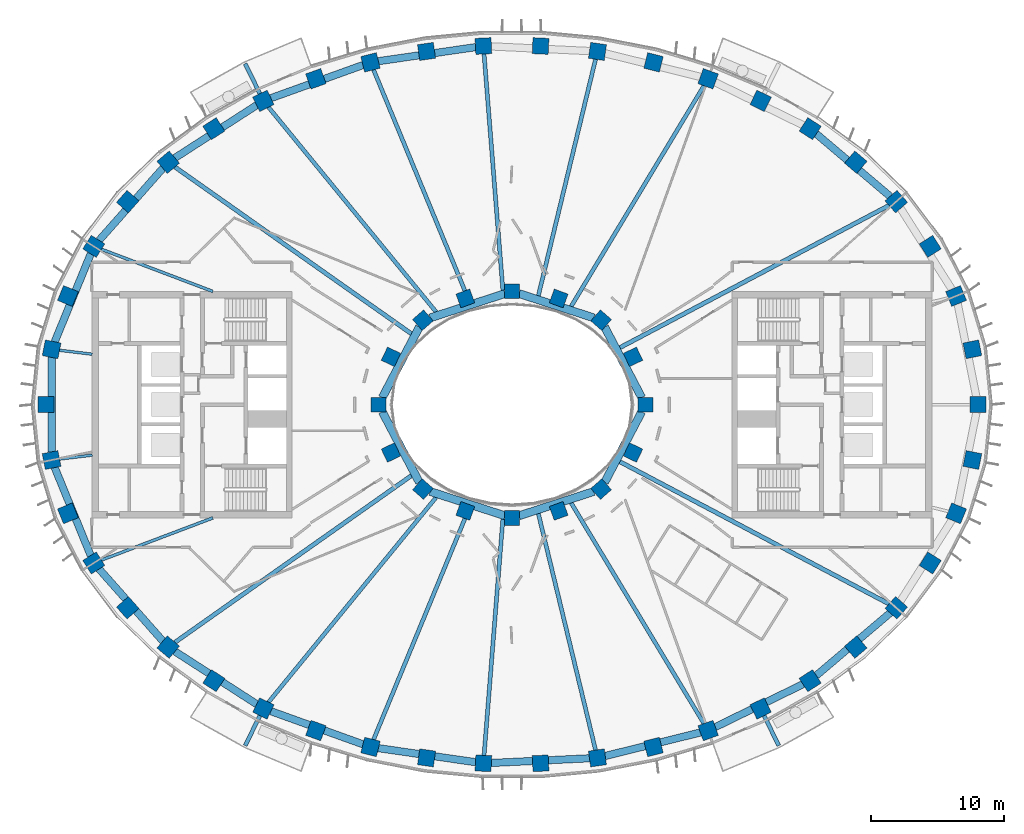
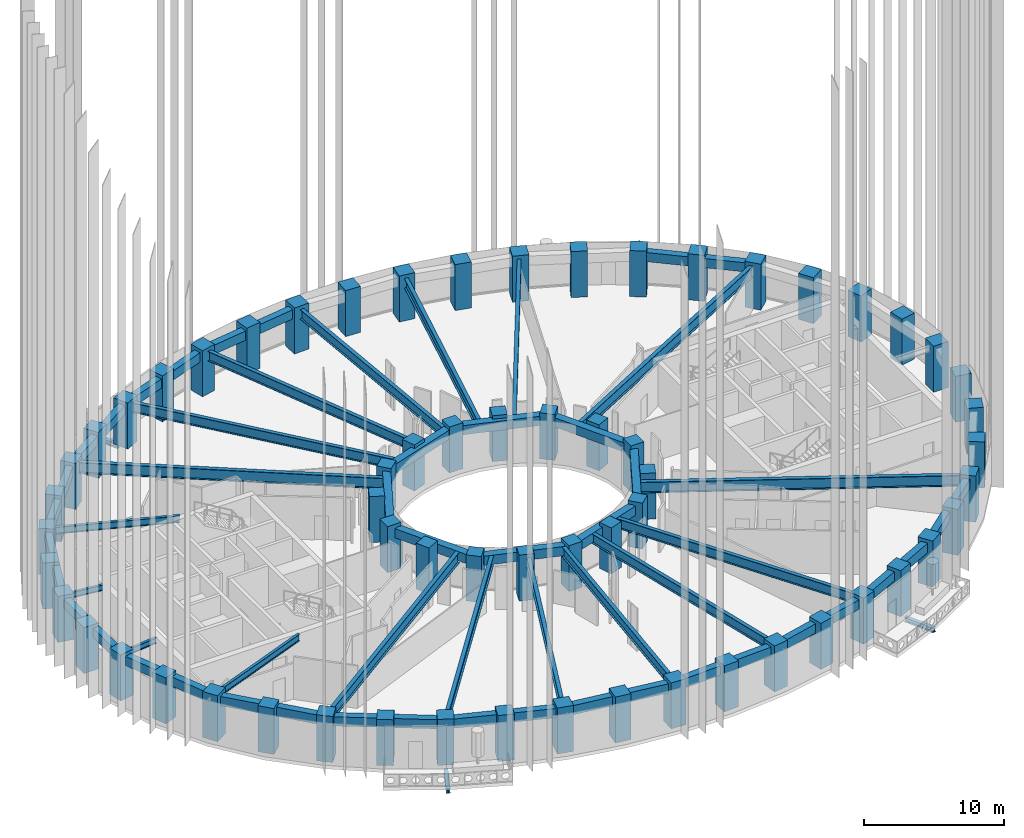
# One storey, part 1 of 19: 62 columns, 45 beams.
"""IFC4 building model written with IfcOpenShell, lengths in metres."""

from ifc_helpers import new_model, si_unit, direction, frame, origin, origin_2d, place, context, subcontext, project, spatial, rectangle, i_section, extrude, material, material_profile, profile_set, type_object, element, save


model = new_model("IFC4")

# Units and contexts
model_context = context("Model", 3, precision=1e-05, world=origin(), true_north=direction((0.0, 1.0)))
body_context = subcontext(model_context, "Body", "Model", "MODEL_VIEW")
ifc_project = project(units=[si_unit("LENGTHUNIT", "METRE"), si_unit("AREAUNIT", "SQUARE_METRE"), si_unit("VOLUMEUNIT", "CUBIC_METRE"), si_unit("PLANEANGLEUNIT", "RADIAN"), si_unit("MASSUNIT", "GRAM", prefix="KILO")], contexts=[model_context])

# Site, building, storey
site_placement = place(None, origin())
site = spatial("IfcSite", under=ifc_project, at=site_placement, CompositionType="ELEMENT")
building_placement = place(site_placement, origin())
building = spatial("IfcBuilding", under=site, at=building_placement, Name="Noorbagh Ring Tower", CompositionType="ELEMENT")
storey_placement = place(building_placement, frame((0.0, 0.0, 146.0)))
storey = spatial("IfcBuildingStorey", under=building, at=storey_placement, Name="L33", CompositionType="ELEMENT", Elevation=146.0)

# Columns
ifc_material_1 = material(Name="Concrete C60/75", Category="concrete")
ifc_material_profile_1 = material_profile(ifc_material_1, rectangle(XDim=1.199951171875, YDim=1.199951171875, at=origin_2d()), Name="RC1200x1200")
ifc_profile_set_1 = profile_set([ifc_material_profile_1], Name="Concrete C60/75")
column_type_1 = type_object("IfcColumnType", Name="STR-COL-RC1200x1200-C60-75", PredefinedType="COLUMN", material=ifc_profile_set_1)
for number, where, z_axis, x_axis, name in (
    (1, (34.944580078125, 0.0, 0.0), (0.0, 0.0, 1.0), (0.0, 1.0, 0.0), "L33/col/R1-01"),
    (2, (34.52685546875, 4.150634765625, 0.0), (0.0, 0.0, 1.0), (-0.19723040178, 0.9803571638, 0.0), "L33/col/R1-02"),
    (3, (33.30517578125, 8.1494140625, 0.0), (0.0, 0.0, 1.0), (-0.378989499959, 0.925400971969, 0.0), "L33/col/R1-03"),
    (4, (31.364990234375, 11.87109375, 0.0), (0.0, 0.0, 1.0), (-0.535190403059, 0.844731455833, 0.0), "L33/col/R1-04"),
    (5, (28.81884765625, 15.23046875, 0.0), (0.0, 0.0, 1.0), (-0.662635642662, 0.748941923699, 0.0), "L33/col/R1-05"),
    (6, (25.78271484375, 18.180419921875, 0.0), (0.0, 0.0, 1.0), (-0.763035199656, 0.646356932419, 0.0), "L33/col/R1-06"),
    (7, (22.362060546875, 20.699951171875, 0.0), (0.0, 0.0, 1.0), (-0.840247639643, 0.542202825586, 0.0), "L33/col/R1-07"),
    (8, (18.646240234375, 22.785400390625, 0.0), (0.0, 0.0, 1.0), (-0.898399080868, 0.439180021741, 0.0), "L33/col/R1-08"),
    (9, (14.70947265625, 24.44091796875, 0.0), (0.0, 0.0, 1.0), (-0.941024726094, 0.338337797003, 0.0), "L33/col/R1-09"),
    (10, (10.61328125, 25.673583984375, 0.0), (0.0, 0.0, 1.0), (-0.970829360981, 0.239771457553, 0.0), "L33/col/R1-10"),
    (11, (6.4091796875, 26.49072265625, 0.0), (0.0, 0.0, 1.0), (-0.989713114048, 0.143066249975, 0.0), "L33/col/R1-11"),
    (12, (2.14306640625, 26.89794921875, 0.0), (0.0, 0.0, 1.0), (-0.998868731212, 0.047552684538, 0.0), "L33/col/R1-12"),
    (13, (-2.14306640625, 26.89794921875, 0.0), (0.0, 0.0, 1.0), (-0.998868731212, -0.047552684538, 0.0), "L33/col/R1-13"),
    (14, (-6.4091796875, 26.49072265625, 0.0), (0.0, 0.0, 1.0), (-0.989713114048, -0.143066249975, 0.0), "L33/col/R1-14"),
    (15, (-10.61328125, 25.673583984375, 0.0), (0.0, 0.0, 1.0), (-0.970829360981, -0.239771457553, 0.0), "L33/col/R1-15"),
    (16, (-14.70947265625, 24.44091796875, 0.0), (0.0, 0.0, 1.0), (-0.941024726094, -0.338337797003, 0.0), "L33/col/R1-16"),
    (17, (-18.646240234375, 22.785400390625, 0.0), (0.0, 0.0, 1.0), (-0.898399080868, -0.439180021741, 0.0), "L33/col/R1-17"),
    (18, (-22.362060546875, 20.699951171875, 0.0), (0.0, 0.0, 1.0), (-0.840247639643, -0.542202825586, 0.0), "L33/col/R1-18"),
    (19, (-25.78271484375, 18.180419921875, 0.0), (0.0, 0.0, 1.0), (-0.763035199656, -0.646356932419, 0.0), "L33/col/R1-19"),
    (20, (-28.81884765625, 15.23046875, 0.0), (0.0, 0.0, 1.0), (-0.662635642662, -0.748941923699, 0.0), "L33/col/R1-20"),
    (21, (-31.364990234375, 11.87109375, 0.0), (0.0, 0.0, 1.0), (-0.535190403059, -0.844731455833, 0.0), "L33/col/R1-21"),
    (22, (-33.30517578125, 8.1494140625, 0.0), (0.0, 0.0, 1.0), (-0.378989499959, -0.925400971969, 0.0), "L33/col/R1-22"),
    (23, (-34.52685546875, 4.150634765625, 0.0), (0.0, 0.0, 1.0), (-0.19723040178, -0.9803571638, 0.0), "L33/col/R1-23"),
    (24, (-34.944580078125, 0.0, 0.0), (0.0, 0.0, 1.0), (0.0, -1.0, 0.0), "L33/col/R1-24"),
    (25, (-34.52685546875, -4.150634765625, 0.0), (0.0, 0.0, 1.0), (0.19723040178, -0.9803571638, 0.0), "L33/col/R1-25"),
    (26, (-33.30517578125, -8.1494140625, 0.0), (0.0, 0.0, 1.0), (0.378989499959, -0.925400971969, 0.0), "L33/col/R1-26"),
    (27, (-31.364990234375, -11.87109375, 0.0), (0.0, 0.0, 1.0), (0.535190403059, -0.844731455833, 0.0), "L33/col/R1-27"),
    (28, (-28.81884765625, -15.23046875, 0.0), (0.0, 0.0, 1.0), (0.662635642662, -0.748941923699, 0.0), "L33/col/R1-28"),
    (29, (-25.78271484375, -18.180419921875, 0.0), (0.0, 0.0, 1.0), (0.763035199656, -0.646356932419, 0.0), "L33/col/R1-29"),
    (30, (-22.362060546875, -20.699951171875, 0.0), (0.0, 0.0, 1.0), (0.840247639643, -0.542202825586, 0.0), "L33/col/R1-30"),
    (31, (-18.646240234375, -22.785400390625, 0.0), (0.0, 0.0, 1.0), (0.898399080868, -0.439180021741, 0.0), "L33/col/R1-31"),
    (32, (-14.70947265625, -24.44091796875, 0.0), (0.0, 0.0, 1.0), (0.941024726094, -0.338337797003, 0.0), "L33/col/R1-32"),
    (33, (-10.61328125, -25.673583984375, 0.0), (0.0, 0.0, 1.0), (0.970829360981, -0.239771457553, 0.0), "L33/col/R1-33"),
    (34, (-6.4091796875, -26.49072265625, 0.0), (0.0, 0.0, 1.0), (0.989713114048, -0.143066249975, 0.0), "L33/col/R1-34"),
    (35, (-2.14306640625, -26.89794921875, 0.0), (0.0, 0.0, 1.0), (0.998868731212, -0.047552684538, 0.0), "L33/col/R1-35"),
    (36, (2.14306640625, -26.89794921875, 0.0), (0.0, 0.0, 1.0), (0.998868731212, 0.047552684538, 0.0), "L33/col/R1-36"),
    (37, (6.4091796875, -26.49072265625, 0.0), (0.0, 0.0, 1.0), (0.989713114048, 0.143066249975, 0.0), "L33/col/R1-37"),
    (38, (10.61328125, -25.673583984375, 0.0), (0.0, 0.0, 1.0), (0.970829360981, 0.239771457553, 0.0), "L33/col/R1-38"),
    (39, (14.70947265625, -24.44091796875, 0.0), (0.0, 0.0, 1.0), (0.941024726094, 0.338337797003, 0.0), "L33/col/R1-39"),
    (40, (18.646240234375, -22.785400390625, 0.0), (0.0, 0.0, 1.0), (0.898399080868, 0.439180021741, 0.0), "L33/col/R1-40"),
    (41, (22.362060546875, -20.699951171875, 0.0), (0.0, 0.0, 1.0), (0.840247639643, 0.542202825586, 0.0), "L33/col/R1-41"),
    (42, (25.78271484375, -18.180419921875, 0.0), (0.0, 0.0, 1.0), (0.763035199656, 0.646356932419, 0.0), "L33/col/R1-42"),
    (43, (28.81884765625, -15.23046875, 0.0), (0.0, 0.0, 1.0), (0.662635642662, 0.748941923699, 0.0), "L33/col/R1-43"),
    (44, (31.364990234375, -11.87109375, 0.0), (0.0, 0.0, 1.0), (0.535190403059, 0.844731455833, 0.0), "L33/col/R1-44"),
    (45, (33.30517578125, -8.1494140625, 0.0), (0.0, 0.0, 1.0), (0.378989499959, 0.925400971969, 0.0), "L33/col/R1-45"),
    (46, (34.52685546875, -4.150634765625, 0.0), (0.0, 0.0, 1.0), (0.19723040178, 0.9803571638, 0.0), "L33/col/R1-46"),
):
    element("IfcColumn", number, at=place(storey_placement, frame(where, z_axis=z_axis, x_axis=x_axis)), inside=storey, type_object=column_type_1, Name=name, PredefinedType="COLUMN", context=body_context, shape_type="SweptSolid", body=[
        extrude(rectangle(XDim=1.199951171875, YDim=1.199951171875, at=origin_2d()), origin(), (0.0, 0.0, 1.0), 4.0),
    ])
ifc_material_2 = material(Name="Concrete C60/75", Category="concrete")
ifc_material_profile_2 = material_profile(ifc_material_2, rectangle(XDim=1.10009765625, YDim=1.10009765625, at=origin_2d()), Name="RC1100x1100")
ifc_profile_set_2 = profile_set([ifc_material_profile_2], Name="Concrete C60/75")
column_type_2 = type_object("IfcColumnType", Name="STR-ICOL-RC1100x1100-C60-75", PredefinedType="COLUMN", material=ifc_profile_set_2)
for number, where, z_axis, x_axis, name in (
    (47, (10.00830078125, 0.0, 0.0), (0.0, 0.0, 1.0), (0.0, 1.0, 0.0), "L33/col/IR2-W01"),
    (48, (9.07568359375, 3.58837890625, 0.0), (0.0, 0.0, 1.0), (-0.428666979171, 0.903462573087, 0.0), "L33/col/IR2-W03"),
    (49, (6.68212890625, 6.333740234375, 0.0), (0.0, 0.0, 1.0), (-0.75102249095, 0.660276622399, 0.0), "L33/col/IR2-W05"),
    (50, (3.5009765625, 7.967041015625, 0.0), (0.0, 0.0, 1.0), (-0.939019578916, 0.343863679984, 0.0), "L33/col/IR2-W07"),
    (51, (0.0, 8.5029296875, 0.0), (0.0, 0.0, 1.0), (-1.0, 0.0, 0.0), "L33/col/IR2-W09"),
    (52, (-3.5009765625, 7.967041015625, 0.0), (0.0, 0.0, 1.0), (-0.939019578916, -0.343863679984, 0.0), "L33/col/IR2-W11"),
    (53, (-6.68212890625, 6.333740234375, 0.0), (0.0, 0.0, 1.0), (-0.75102249095, -0.660276622399, 0.0), "L33/col/IR2-W13"),
    (54, (-9.07568359375, 3.58837890625, 0.0), (0.0, 0.0, 1.0), (-0.428666979171, -0.903462573087, 0.0), "L33/col/IR2-W15"),
    (55, (-10.00830078125, 0.0, 0.0), (0.0, 0.0, 1.0), (0.0, -1.0, 0.0), "L33/col/IR2-W17"),
    (56, (-9.07568359375, -3.58837890625, 0.0), (0.0, 0.0, 1.0), (0.428666979171, -0.903462573087, 0.0), "L33/col/IR2-W19"),
    (57, (-6.68212890625, -6.333740234375, 0.0), (0.0, 0.0, 1.0), (0.75102249095, -0.660276622399, 0.0), "L33/col/IR2-W21"),
    (58, (-3.5009765625, -7.967041015625, 0.0), (0.0, 0.0, 1.0), (0.939019578916, -0.343863679984, 0.0), "L33/col/IR2-W23"),
    (59, (0.0, -8.5029296875, 0.0), (0.0, 0.0, 1.0), (1.0, 0.0, 0.0), "L33/col/IR2-W25"),
    (60, (3.5009765625, -7.967041015625, 0.0), (0.0, 0.0, 1.0), (0.939019578916, 0.343863679984, 0.0), "L33/col/IR2-W27"),
    (61, (6.68212890625, -6.333740234375, 0.0), (0.0, 0.0, 1.0), (0.75102249095, 0.660276622399, 0.0), "L33/col/IR2-W29"),
    (62, (9.07568359375, -3.58837890625, 0.0), (0.0, 0.0, 1.0), (0.428666979171, 0.903462573087, 0.0), "L33/col/IR2-W31"),
):
    element("IfcColumn", number, at=place(storey_placement, frame(where, z_axis=z_axis, x_axis=x_axis)), inside=storey, type_object=column_type_2, Name=name, PredefinedType="COLUMN", context=body_context, shape_type="SweptSolid", body=[
        extrude(rectangle(XDim=1.10009765625, YDim=1.10009765625, at=origin_2d()), origin(), (0.0, 0.0, 1.0), 4.0),
    ])

# Beams
ifc_material_3 = material(Name="Steel S355", Category="steel")
ifc_material_profile_3 = material_profile(ifc_material_3, i_section(OverallWidth=0.300048828125, OverallDepth=0.39990234375, WebThickness=0.013427734375, FlangeThickness=0.02392578125, FilletRadius=0.027099609375, at=origin_2d()), Name="HEB400")
ifc_profile_set_3 = profile_set([ifc_material_profile_3], Name="Steel S355")
beam_type_1 = type_object("IfcBeamType", Name="STR-BALCONY-BRACKET-HEB400", PredefinedType="BEAM", material=ifc_profile_set_3)
for number, where, z_axis, x_axis, name in (
    (63, (-18.901123046875, 23.306396484375, -0.5), (-0.439229206399, 0.898375035409, 0.0), (-0.898375035409, -0.439229206399, 0.0), "Balcony bracket beam BN05"),
    (64, (-18.901123046875, -23.306396484375, -0.5), (-0.439229206399, -0.898375035409, 0.0), (0.898375035409, -0.439229206399, 0.0), "Balcony bracket beam BS02"),
    (65, (18.901123046875, -23.306396484375, -0.5), (0.439229206399, -0.898375035409, 0.0), (0.898375035409, 0.439229206399, 0.0), "Balcony bracket beam BS05"),
):
    element("IfcBeam", number, at=place(storey_placement, frame(where, z_axis=z_axis, x_axis=x_axis)), inside=storey, type_object=beam_type_1, Name=name, PredefinedType="BEAM", context=body_context, shape_type="SweptSolid", body=[
        extrude(i_section(OverallWidth=0.300048828125, OverallDepth=0.39990234375, WebThickness=0.013427734375, FlangeThickness=0.02392578125, FilletRadius=0.027099609375, at=origin_2d()), origin(), (0.0, 0.0, 1.0), 2.525146484375),
    ])
ifc_material_4 = material(Name="Steel S355", Category="steel")
ifc_material_profile_4 = material_profile(ifc_material_4, i_section(OverallWidth=0.199951171875, OverallDepth=0.5, WebThickness=0.01025390625, FlangeThickness=0.01611328125, FilletRadius=0.02099609375, at=origin_2d()), Name="IPE500")
ifc_profile_set_4 = profile_set([ifc_material_profile_4], Name="Steel S355")
beam_type_2 = type_object("IfcBeamType", Name="STR-RAD-IPE500", PredefinedType="BEAM", material=ifc_profile_set_4)
for number, where, z_axis, x_axis, name in (
    (66, (-33.948974609375, 4.081298828125, 3.449951171875), (0.992847073299, -0.119393002485, 0.0), (0.119393002485, 0.992847073299, 0.0), "L33/bm/RD23"),
    (67, (-33.948974609375, -4.081298828125, 3.449951171875), (0.992847073299, 0.119393002485, 0.0), (-0.119393002485, 0.992847073299, 0.0), "L33/bm/RD25"),
):
    element("IfcBeam", number, at=place(storey_placement, frame(where, z_axis=z_axis, x_axis=x_axis)), inside=storey, type_object=beam_type_2, Name=name, PredefinedType="BEAM", context=body_context, shape_type="SweptSolid", body=[
        extrude(i_section(OverallWidth=0.199951171875, OverallDepth=0.5, WebThickness=0.01025390625, FlangeThickness=0.01611328125, FilletRadius=0.02099609375, at=origin_2d()), origin(), (0.0, 0.0, 1.0), 2.486572265625),
    ])
ifc_material_5 = material(Name="Steel S355", Category="steel")
ifc_material_profile_5 = material_profile(ifc_material_5, i_section(OverallWidth=0.219970703125, OverallDepth=0.60009765625, WebThickness=0.011962890625, FlangeThickness=0.01904296875, FilletRadius=0.02392578125, at=origin_2d()), Name="IPE600")
ifc_profile_set_5 = profile_set([ifc_material_profile_5], Name="Steel S355")
beam_type_3 = type_object("IfcBeamType", Name="STR-RAD-IPE600", PredefinedType="BEAM", material=ifc_profile_set_5)
for number, where, z_axis, x_axis, name in (
    (68, (-30.810791015625, 11.6611328125, 3.39990234375), (0.935257705558, -0.35396754681, 0.0), (0.35396754681, 0.935257705558, 0.0), "L33/bm/RD21"),
    (69, (-30.810791015625, -11.6611328125, 3.39990234375), (0.935257705558, 0.35396754681, 0.0), (-0.35396754681, 0.935257705558, 0.0), "L33/bm/RD27"),
):
    element("IfcBeam", number, at=place(storey_placement, frame(where, z_axis=z_axis, x_axis=x_axis)), inside=storey, type_object=beam_type_3, Name=name, PredefinedType="BEAM", context=body_context, shape_type="SweptSolid", body=[
        extrude(i_section(OverallWidth=0.219970703125, OverallDepth=0.60009765625, WebThickness=0.011962890625, FlangeThickness=0.01904296875, FilletRadius=0.02392578125, at=origin_2d()), origin(), (0.0, 0.0, 1.0), 8.95068359375),
    ])
ifc_material_6 = material(Name="Steel S355", Category="steel")
ifc_material_profile_6 = material_profile(ifc_material_6, i_section(OverallWidth=0.300048828125, OverallDepth=0.85009765625, WebThickness=0.013916015625, FlangeThickness=0.028076171875, at=origin_2d()), Name="PG850x300x14x28")
ifc_profile_set_6 = profile_set([ifc_material_profile_6], Name="Steel S355")
beam_type_4 = type_object("IfcBeamType", Name="STR-RAD-PG850x300x14x28", PredefinedType="BEAM", material=ifc_profile_set_6)
beam_1_placement = place(storey_placement, frame((14.404296875, 23.933837890625, 3.27490234375), z_axis=(-0.515653442321, -0.856797249892, 0.0), x_axis=(0.856797249892, -0.515653442321, 0.0)))
element("IfcBeam", 70, at=beam_1_placement, inside=storey, type_object=beam_type_4, Name="L33/bm/RD09", PredefinedType="BEAM", context=body_context, shape_type="SweptSolid", body=[
    extrude(i_section(OverallWidth=0.300048828125, OverallDepth=0.85009765625, WebThickness=0.013916015625, FlangeThickness=0.028076171875, at=origin_2d()), origin(), (0.0, 0.0, 1.0), 19.343994140625),
])
beam_2_placement = place(storey_placement, frame((6.272216796875, 25.924560546875, 3.27490234375), z_axis=(-0.235159659646, -0.971956755455, 0.0), x_axis=(0.971956755455, -0.235159659646, 0.0)))
element("IfcBeam", 71, at=beam_2_placement, inside=storey, type_object=beam_type_4, Name="L33/bm/RD11", PredefinedType="BEAM", context=body_context, shape_type="SweptSolid", body=[
    extrude(i_section(OverallWidth=0.300048828125, OverallDepth=0.85009765625, WebThickness=0.013916015625, FlangeThickness=0.028076171875, at=origin_2d()), origin(), (0.0, 0.0, 1.0), 18.280517578125),
])
beam_3_placement = place(storey_placement, frame((-2.09716796875, 26.319580078125, 3.27490234375), z_axis=(0.079428488964, -0.996840566561, 0.0), x_axis=(0.996840566561, 0.079428488964, 0.0)))
element("IfcBeam", 72, at=beam_3_placement, inside=storey, type_object=beam_type_4, Name="L33/bm/RD13", PredefinedType="BEAM", context=body_context, shape_type="SweptSolid", body=[
    extrude(i_section(OverallWidth=0.300048828125, OverallDepth=0.85009765625, WebThickness=0.013916015625, FlangeThickness=0.028076171875, at=origin_2d()), origin(), (0.0, 0.0, 1.0), 17.7998046875),
])
beam_4_placement = place(storey_placement, frame((-10.388916015625, 25.13134765625, 3.27490234375), z_axis=(0.382025650428, -0.924151720452, 0.0), x_axis=(0.924151720452, 0.382025650428, 0.0)))
element("IfcBeam", 73, at=beam_4_placement, inside=storey, type_object=beam_type_4, Name="L33/bm/RD15", PredefinedType="BEAM", context=body_context, shape_type="SweptSolid", body=[
    extrude(i_section(OverallWidth=0.300048828125, OverallDepth=0.85009765625, WebThickness=0.013916015625, FlangeThickness=0.028076171875, at=origin_2d()), origin(), (0.0, 0.0, 1.0), 18.80078125),
])
for number, where, z_axis, x_axis, name in (
    (74, (-18.2685546875, 22.32373046875, 3.27490234375), (0.633310075039, -0.773898151474, 0.0), (0.773898151474, 0.633310075039, 0.0), "L33/bm/RD17"),
    (75, (-18.2685546875, -22.32373046875, 3.27490234375), (0.633310075039, 0.773898151474, 0.0), (-0.773898151474, 0.633310075039, 0.0), "L33/bm/RD31"),
):
    element("IfcBeam", number, at=place(storey_placement, frame(where, z_axis=z_axis, x_axis=x_axis)), inside=storey, type_object=beam_type_4, Name=name, PredefinedType="BEAM", context=body_context, shape_type="SweptSolid", body=[
        extrude(i_section(OverallWidth=0.300048828125, OverallDepth=0.85009765625, WebThickness=0.013916015625, FlangeThickness=0.028076171875, at=origin_2d()), origin(), (0.0, 0.0, 1.0), 19.86279296875),
    ])
beam_5_placement = place(storey_placement, frame((-10.388916015625, -25.13134765625, 3.27490234375), z_axis=(0.382025650428, 0.924151720452, 0.0), x_axis=(-0.924151720452, 0.382025650428, 0.0)))
element("IfcBeam", 76, at=beam_5_placement, inside=storey, type_object=beam_type_4, Name="L33/bm/RD33", PredefinedType="BEAM", context=body_context, shape_type="SweptSolid", body=[
    extrude(i_section(OverallWidth=0.300048828125, OverallDepth=0.85009765625, WebThickness=0.013916015625, FlangeThickness=0.028076171875, at=origin_2d()), origin(), (0.0, 0.0, 1.0), 18.80078125),
])
beam_6_placement = place(storey_placement, frame((-2.09716796875, -26.319580078125, 3.27490234375), z_axis=(0.079428488964, 0.996840566561, 0.0), x_axis=(-0.996840566561, 0.079428488964, 0.0)))
element("IfcBeam", 77, at=beam_6_placement, inside=storey, type_object=beam_type_4, Name="L33/bm/RD35", PredefinedType="BEAM", context=body_context, shape_type="SweptSolid", body=[
    extrude(i_section(OverallWidth=0.300048828125, OverallDepth=0.85009765625, WebThickness=0.013916015625, FlangeThickness=0.028076171875, at=origin_2d()), origin(), (0.0, 0.0, 1.0), 17.7998046875),
])
beam_7_placement = place(storey_placement, frame((6.272216796875, -25.924560546875, 3.27490234375), z_axis=(-0.235159659646, 0.971956755455, 0.0), x_axis=(-0.971956755455, -0.235159659646, 0.0)))
element("IfcBeam", 78, at=beam_7_placement, inside=storey, type_object=beam_type_4, Name="L33/bm/RD37", PredefinedType="BEAM", context=body_context, shape_type="SweptSolid", body=[
    extrude(i_section(OverallWidth=0.300048828125, OverallDepth=0.85009765625, WebThickness=0.013916015625, FlangeThickness=0.028076171875, at=origin_2d()), origin(), (0.0, 0.0, 1.0), 18.280517578125),
])
beam_8_placement = place(storey_placement, frame((14.404296875, -23.933837890625, 3.27490234375), z_axis=(-0.515653442321, 0.856797249892, 0.0), x_axis=(-0.856797249892, -0.515653442321, 0.0)))
element("IfcBeam", 79, at=beam_8_placement, inside=storey, type_object=beam_type_4, Name="L33/bm/RD39", PredefinedType="BEAM", context=body_context, shape_type="SweptSolid", body=[
    extrude(i_section(OverallWidth=0.300048828125, OverallDepth=0.85009765625, WebThickness=0.013916015625, FlangeThickness=0.028076171875, at=origin_2d()), origin(), (0.0, 0.0, 1.0), 19.343994140625),
])
ifc_material_7 = material(Name="Steel S355", Category="steel")
ifc_material_profile_7 = material_profile(ifc_material_7, i_section(OverallWidth=0.320068359375, OverallDepth=0.949951171875, WebThickness=0.01611328125, FlangeThickness=0.030029296875, at=origin_2d()), Name="PG950x320x16x30")
ifc_profile_set_7 = profile_set([ifc_material_profile_7], Name="Steel S355")
beam_type_5 = type_object("IfcBeamType", Name="STR-RAD-PG950x320x16x30", PredefinedType="BEAM", material=ifc_profile_set_7)
beam_9_placement = place(storey_placement, frame((28.29052734375, 14.951416015625, 3.22509765625), z_axis=(-0.88411920944, -0.467261408099, 0.0), x_axis=(0.467261408099, -0.88411920944, 0.0)))
element("IfcBeam", 80, at=beam_9_placement, inside=storey, type_object=beam_type_5, Name="L33/bm/RD05", PredefinedType="BEAM", context=body_context, shape_type="SweptSolid", body=[
    extrude(i_section(OverallWidth=0.320068359375, OverallDepth=0.949951171875, WebThickness=0.01611328125, FlangeThickness=0.030029296875, at=origin_2d()), origin(), (0.0, 0.0, 1.0), 22.857421875),
])
for number, where, z_axis, x_axis, name in (
    (81, (-25.29248046875, 17.834716796875, 3.22509765625), (0.817253927646, -0.576277726229, 0.0), (0.576277726229, 0.817253927646, 0.0), "L33/bm/RD19"),
    (82, (-25.29248046875, -17.834716796875, 3.22509765625), (0.817253927646, 0.576277726229, 0.0), (-0.576277726229, 0.817253927646, 0.0), "L33/bm/RD29"),
):
    element("IfcBeam", number, at=place(storey_placement, frame(where, z_axis=z_axis, x_axis=x_axis)), inside=storey, type_object=beam_type_5, Name=name, PredefinedType="BEAM", context=body_context, shape_type="SweptSolid", body=[
        extrude(i_section(OverallWidth=0.320068359375, OverallDepth=0.949951171875, WebThickness=0.01611328125, FlangeThickness=0.030029296875, at=origin_2d()), origin(), (0.0, 0.0, 1.0), 21.728515625),
    ])
beam_10_placement = place(storey_placement, frame((28.29052734375, -14.951416015625, 3.22509765625), z_axis=(-0.88411920944, 0.467261408099, 0.0), x_axis=(-0.467261408099, -0.88411920944, 0.0)))
element("IfcBeam", 83, at=beam_10_placement, inside=storey, type_object=beam_type_5, Name="L33/bm/RD43", PredefinedType="BEAM", context=body_context, shape_type="SweptSolid", body=[
    extrude(i_section(OverallWidth=0.320068359375, OverallDepth=0.949951171875, WebThickness=0.01611328125, FlangeThickness=0.030029296875, at=origin_2d()), origin(), (0.0, 0.0, 1.0), 22.857421875),
])
ifc_material_8 = material(Name="Concrete C40/50", Category="concrete")
ifc_material_profile_8 = material_profile(ifc_material_8, rectangle(XDim=0.60009765625, YDim=0.800048828125, at=origin_2d()), Name="RC600x800")
ifc_profile_set_8 = profile_set([ifc_material_profile_8], Name="Concrete C40/50")
beam_type_6 = type_object("IfcBeamType", Name="STR-RB-RC600x800-C40-50", PredefinedType="BEAM", material=ifc_profile_set_8)
beam_11_placement = place(storey_placement, frame((9.728759765625, 0.5322265625, 3.300048828125), z_axis=(-0.464913857529, 0.885355919999, 0.0), x_axis=(-0.885355919999, -0.464913857529, 0.0)))
element("IfcBeam", 84, at=beam_11_placement, inside=storey, type_object=beam_type_6, Name="L33/bm/RG01", PredefinedType="BEAM", context=body_context, shape_type="SweptSolid", body=[
    extrude(rectangle(XDim=0.60009765625, YDim=0.800048828125, at=origin_2d()), origin(), (0.0, 0.0, 1.0), 5.98388671875),
])
for number, where, z_axis, x_axis, name in (
    (85, (6.13134765625, 6.512451171875, 3.300048828125), (-0.95113365854, 0.308779474046, 0.0), (-0.308779474046, -0.95113365854, 0.0), "L33/bm/RG03"),
    (86, (-0.531005859375, 8.33056640625, 3.300048828125), (-0.95113365854, -0.308779474046, 0.0), (0.308779474046, -0.95113365854, 0.0), "L33/bm/RG05"),
):
    element("IfcBeam", number, at=place(storey_placement, frame(where, z_axis=z_axis, x_axis=x_axis)), inside=storey, type_object=beam_type_6, Name=name, PredefinedType="BEAM", context=body_context, shape_type="SweptSolid", body=[
        extrude(rectangle(XDim=0.60009765625, YDim=0.800048828125, at=origin_2d()), origin(), (0.0, 0.0, 1.0), 5.88818359375),
    ])
for number, where, z_axis, x_axis, name in (
    (87, (-6.94677734375, 5.830078125, 3.300048828125), (-0.464913857529, -0.885355919999, 0.0), (0.885355919999, -0.464913857529, 0.0), "L33/bm/RG07"),
    (88, (-9.728759765625, -0.5322265625, 3.300048828125), (0.464913857529, -0.885355919999, 0.0), (0.885355919999, 0.464913857529, 0.0), "L33/bm/RG09"),
):
    element("IfcBeam", number, at=place(storey_placement, frame(where, z_axis=z_axis, x_axis=x_axis)), inside=storey, type_object=beam_type_6, Name=name, PredefinedType="BEAM", context=body_context, shape_type="SweptSolid", body=[
        extrude(rectangle(XDim=0.60009765625, YDim=0.800048828125, at=origin_2d()), origin(), (0.0, 0.0, 1.0), 5.98388671875),
    ])
for number, where, z_axis, x_axis, name in (
    (89, (-6.13134765625, -6.512451171875, 3.300048828125), (0.95113365854, -0.308779474046, 0.0), (0.308779474046, 0.95113365854, 0.0), "L33/bm/RG11"),
    (90, (0.531005859375, -8.33056640625, 3.300048828125), (0.95113365854, 0.308779474046, 0.0), (-0.308779474046, 0.95113365854, 0.0), "L33/bm/RG13"),
):
    element("IfcBeam", number, at=place(storey_placement, frame(where, z_axis=z_axis, x_axis=x_axis)), inside=storey, type_object=beam_type_6, Name=name, PredefinedType="BEAM", context=body_context, shape_type="SweptSolid", body=[
        extrude(rectangle(XDim=0.60009765625, YDim=0.800048828125, at=origin_2d()), origin(), (0.0, 0.0, 1.0), 5.88818359375),
    ])
beam_12_placement = place(storey_placement, frame((6.94677734375, -5.830078125, 3.300048828125), z_axis=(0.464913857529, 0.885355919999, 0.0), x_axis=(-0.885355919999, 0.464913857529, 0.0)))
element("IfcBeam", 91, at=beam_12_placement, inside=storey, type_object=beam_type_6, Name="L33/bm/RG15", PredefinedType="BEAM", context=body_context, shape_type="SweptSolid", body=[
    extrude(rectangle(XDim=0.60009765625, YDim=0.800048828125, at=origin_2d()), origin(), (0.0, 0.0, 1.0), 5.98388671875),
])
ifc_material_9 = material(Name="Concrete C40/50", Category="concrete")
ifc_material_profile_9 = material_profile(ifc_material_9, rectangle(XDim=0.550048828125, YDim=0.800048828125, at=origin_2d()), Name="RC550x800")
ifc_profile_set_9 = profile_set([ifc_material_profile_9], Name="Concrete C40/50")
beam_type_7 = type_object("IfcBeamType", Name="STR-SB-RC550x800-C40-50", PredefinedType="BEAM", material=ifc_profile_set_9)
beam_13_placement = place(storey_placement, frame((28.37158203125, 15.609375, 3.300048828125), z_axis=(-0.76303051661, 0.646362460792, 0.0), x_axis=(-0.646362460792, -0.76303051661, 0.0)))
element("IfcBeam", 92, at=beam_13_placement, inside=storey, type_object=beam_type_7, Name="L33/bm/SP05", PredefinedType="BEAM", context=body_context, shape_type="SweptSolid", body=[
    extrude(rectangle(XDim=0.550048828125, YDim=0.800048828125, at=origin_2d()), origin(), (0.0, 0.0, 1.0), 7.290771484375),
])
beam_14_placement = place(storey_placement, frame((-2.719970703125, 26.814697265625, 3.300048828125), z_axis=(-0.989712982551, -0.143067159651, 0.0), x_axis=(0.143067159651, -0.989712982551, 0.0)))
element("IfcBeam", 93, at=beam_14_placement, inside=storey, type_object=beam_type_7, Name="L33/bm/SP13", PredefinedType="BEAM", context=body_context, shape_type="SweptSolid", body=[
    extrude(rectangle(XDim=0.550048828125, YDim=0.800048828125, at=origin_2d()), origin(), (0.0, 0.0, 1.0), 7.392333984375),
])
beam_15_placement = place(storey_placement, frame((-11.162109375, 25.476318359375, 3.300048828125), z_axis=(-0.941026272099, -0.338333497041, 0.0), x_axis=(0.338333497041, -0.941026272099, 0.0)))
element("IfcBeam", 94, at=beam_15_placement, inside=storey, type_object=beam_type_7, Name="L33/bm/SP15", PredefinedType="BEAM", context=body_context, shape_type="SweptSolid", body=[
    extrude(rectangle(XDim=0.550048828125, YDim=0.800048828125, at=origin_2d()), origin(), (0.0, 0.0, 1.0), 7.36962890625),
])
beam_16_placement = place(storey_placement, frame((-19.13720703125, 22.468505859375, 3.300048828125), z_axis=(-0.840250107942, -0.542199000463, 0.0), x_axis=(0.542199000463, -0.840250107942, 0.0)))
element("IfcBeam", 95, at=beam_16_placement, inside=storey, type_object=beam_type_7, Name="L33/bm/SP17", PredefinedType="BEAM", context=body_context, shape_type="SweptSolid", body=[
    extrude(rectangle(XDim=0.550048828125, YDim=0.800048828125, at=origin_2d()), origin(), (0.0, 0.0, 1.0), 7.32373046875),
])
beam_17_placement = place(storey_placement, frame((-26.171142578125, 17.7412109375, 3.300048828125), z_axis=(-0.662637815304, -0.748940001422, 0.0), x_axis=(0.748940001422, -0.662637815304, 0.0)))
element("IfcBeam", 96, at=beam_17_placement, inside=storey, type_object=beam_type_7, Name="L33/bm/SP19", PredefinedType="BEAM", context=body_context, shape_type="SweptSolid", body=[
    extrude(rectangle(XDim=0.550048828125, YDim=0.800048828125, at=origin_2d()), origin(), (0.0, 0.0, 1.0), 7.25048828125),
])
beam_18_placement = place(storey_placement, frame((-31.58837890625, 11.325439453125, 3.300048828125), z_axis=(-0.378983224539, -0.925403541985, 0.0), x_axis=(0.925403541985, -0.378983224539, 0.0)))
element("IfcBeam", 97, at=beam_18_placement, inside=storey, type_object=beam_type_7, Name="L33/bm/SP21", PredefinedType="BEAM", context=body_context, shape_type="SweptSolid", body=[
    extrude(rectangle(XDim=0.550048828125, YDim=0.800048828125, at=origin_2d()), origin(), (0.0, 0.0, 1.0), 7.162109375),
])
beam_19_placement = place(storey_placement, frame((-34.52685546875, 3.55859375, 3.300048828125), z_axis=(0.0, -1.0, 0.0), x_axis=(1.0, 0.0, 0.0)))
element("IfcBeam", 98, at=beam_19_placement, inside=storey, type_object=beam_type_7, Name="L33/bm/SP23", PredefinedType="BEAM", context=body_context, shape_type="SweptSolid", body=[
    extrude(rectangle(XDim=0.550048828125, YDim=0.800048828125, at=origin_2d()), origin(), (0.0, 0.0, 1.0), 7.1171875),
])
beam_20_placement = place(storey_placement, frame((-34.302734375, -4.697509765625, 3.300048828125), z_axis=(0.378983224539, -0.925403541985, 0.0), x_axis=(0.925403541985, 0.378983224539, 0.0)))
element("IfcBeam", 99, at=beam_20_placement, inside=storey, type_object=beam_type_7, Name="L33/bm/SP25", PredefinedType="BEAM", context=body_context, shape_type="SweptSolid", body=[
    extrude(rectangle(XDim=0.550048828125, YDim=0.800048828125, at=origin_2d()), origin(), (0.0, 0.0, 1.0), 7.162109375),
])
beam_21_placement = place(storey_placement, frame((-30.9755859375, -12.31103515625, 3.300048828125), z_axis=(0.662637815304, -0.748940001422, 0.0), x_axis=(0.748940001422, 0.662637815304, 0.0)))
element("IfcBeam", 100, at=beam_21_placement, inside=storey, type_object=beam_type_7, Name="L33/bm/SP27", PredefinedType="BEAM", context=body_context, shape_type="SweptSolid", body=[
    extrude(rectangle(XDim=0.550048828125, YDim=0.800048828125, at=origin_2d()), origin(), (0.0, 0.0, 1.0), 7.25048828125),
])
beam_22_placement = place(storey_placement, frame((-25.291015625, -18.49755859375, 3.300048828125), z_axis=(0.840250107942, -0.542199000463, 0.0), x_axis=(0.542199000463, 0.840250107942, 0.0)))
element("IfcBeam", 101, at=beam_22_placement, inside=storey, type_object=beam_type_7, Name="L33/bm/SP29", PredefinedType="BEAM", context=body_context, shape_type="SweptSolid", body=[
    extrude(rectangle(XDim=0.550048828125, YDim=0.800048828125, at=origin_2d()), origin(), (0.0, 0.0, 1.0), 7.32373046875),
])
beam_23_placement = place(storey_placement, frame((-18.09716796875, -22.98291015625, 3.300048828125), z_axis=(0.941026272099, -0.338333497041, 0.0), x_axis=(0.338333497041, 0.941026272099, 0.0)))
element("IfcBeam", 102, at=beam_23_placement, inside=storey, type_object=beam_type_7, Name="L33/bm/SP31", PredefinedType="BEAM", context=body_context, shape_type="SweptSolid", body=[
    extrude(rectangle(XDim=0.550048828125, YDim=0.800048828125, at=origin_2d()), origin(), (0.0, 0.0, 1.0), 7.36962890625),
])
beam_24_placement = place(storey_placement, frame((-10.036376953125, -25.757080078125, 3.300048828125), z_axis=(0.989712982551, -0.143067159651, 0.0), x_axis=(0.143067159651, 0.989712982551, 0.0)))
element("IfcBeam", 103, at=beam_24_placement, inside=storey, type_object=beam_type_7, Name="L33/bm/SP33", PredefinedType="BEAM", context=body_context, shape_type="SweptSolid", body=[
    extrude(rectangle(XDim=0.550048828125, YDim=0.800048828125, at=origin_2d()), origin(), (0.0, 0.0, 1.0), 7.392333984375),
])
beam_25_placement = place(storey_placement, frame((-1.56103515625, -26.870361328125, 3.300048828125), z_axis=(0.9988682124, 0.047563581193, 0.0), x_axis=(-0.047563581193, 0.9988682124, 0.0)))
element("IfcBeam", 104, at=beam_25_placement, inside=storey, type_object=beam_type_7, Name="L33/bm/SP35", PredefinedType="BEAM", context=body_context, shape_type="SweptSolid", body=[
    extrude(rectangle(XDim=0.550048828125, YDim=0.800048828125, at=origin_2d()), origin(), (0.0, 0.0, 1.0), 7.396484375),
])
beam_26_placement = place(storey_placement, frame((6.97509765625, -26.35107421875, 3.300048828125), z_axis=(0.970832897369, 0.239757138341, 0.0), x_axis=(-0.239757138341, 0.970832897369, 0.0)))
element("IfcBeam", 105, at=beam_26_placement, inside=storey, type_object=beam_type_7, Name="L33/bm/SP37", PredefinedType="BEAM", context=body_context, shape_type="SweptSolid", body=[
    extrude(rectangle(XDim=0.550048828125, YDim=0.800048828125, at=origin_2d()), origin(), (0.0, 0.0, 1.0), 7.383544921875),
])
beam_27_placement = place(storey_placement, frame((15.23388671875, -24.1845703125, 3.300048828125), z_axis=(0.898397175695, 0.439183918994, 0.0), x_axis=(-0.439183918994, 0.898397175695, 0.0)))
element("IfcBeam", 106, at=beam_27_placement, inside=storey, type_object=beam_type_7, Name="L33/bm/SP39", PredefinedType="BEAM", context=body_context, shape_type="SweptSolid", body=[
    extrude(rectangle(XDim=0.550048828125, YDim=0.800048828125, at=origin_2d()), origin(), (0.0, 0.0, 1.0), 7.35009765625),
])
beam_28_placement = place(storey_placement, frame((22.80859375, -20.32177734375, 3.300048828125), z_axis=(0.76303051661, 0.646362460792, 0.0), x_axis=(-0.646362460792, 0.76303051661, 0.0)))
element("IfcBeam", 107, at=beam_28_placement, inside=storey, type_object=beam_type_7, Name="L33/bm/SP41", PredefinedType="BEAM", context=body_context, shape_type="SweptSolid", body=[
    extrude(rectangle(XDim=0.550048828125, YDim=0.800048828125, at=origin_2d()), origin(), (0.0, 0.0, 1.0), 7.290771484375),
])

save(model, "model.ifc")
